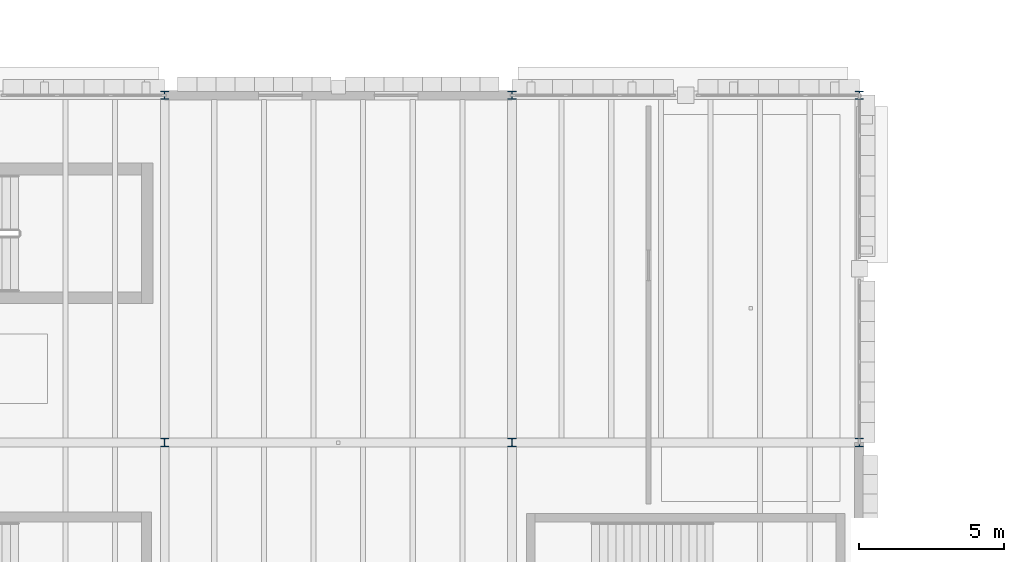
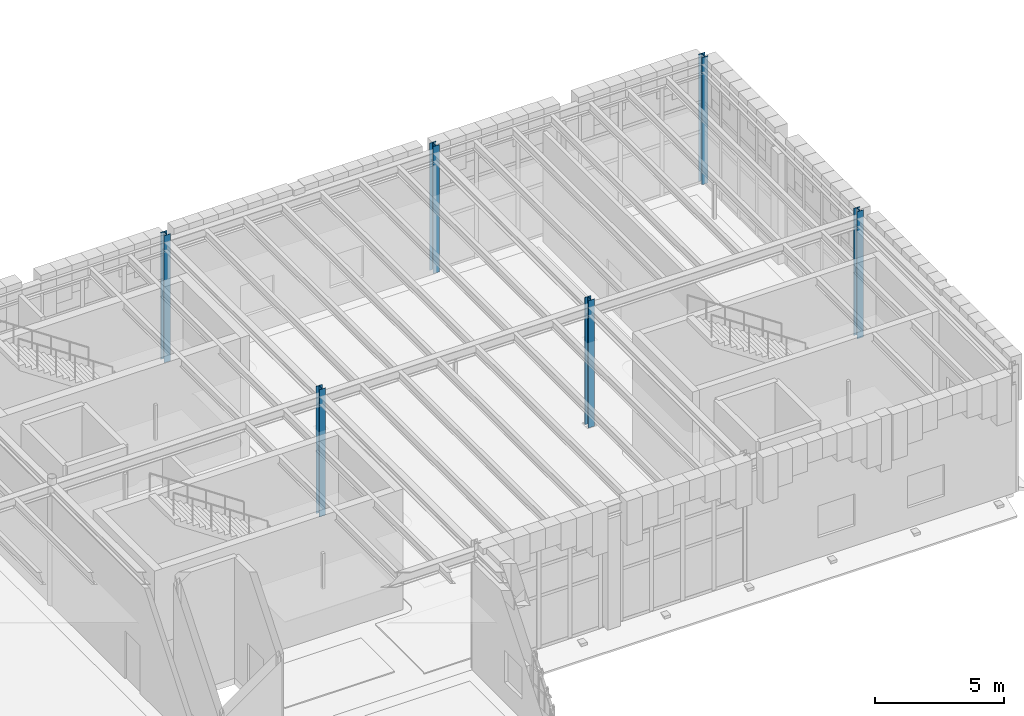
# One storey, part 12 of 83: 6 columns.
"""IFC4 building model written with IfcOpenShell, lengths in metres."""

from ifc_helpers import new_model, si_unit, direction, frame, origin, origin_2d, place, context, subcontext, project, spatial, i_section, extrude, material, material_profile, profile_set, type_object, element, save


model = new_model("IFC4")

# Units and contexts
model_context = context("Model", 3, precision=1e-05, world=origin(), true_north=direction((0.0, 1.0)))
body_context = subcontext(model_context, "Body", "Model", "MODEL_VIEW")
ifc_project = project(units=[si_unit("LENGTHUNIT", "METRE"), si_unit("AREAUNIT", "SQUARE_METRE"), si_unit("VOLUMEUNIT", "CUBIC_METRE"), si_unit("PLANEANGLEUNIT", "RADIAN"), si_unit("MASSUNIT", "GRAM", prefix="KILO")], contexts=[model_context])

# Site, building, storey
site_placement = place(None, origin())
site = spatial("IfcSite", under=ifc_project, at=site_placement, CompositionType="ELEMENT")
building_placement = place(site_placement, origin())
building = spatial("IfcBuilding", under=site, at=building_placement, Name="Zlatogorsky Bluff Art Gallery", CompositionType="ELEMENT")
storey_placement = place(building_placement, frame((0.0, 0.0, 10.800048828125)))
storey = spatial("IfcBuildingStorey", under=building, at=storey_placement, Name="L02", CompositionType="ELEMENT", Elevation=10.800048828125)

# Columns
ifc_material = material(Name="Steel S355", Category="steel")
ifc_material_profile = material_profile(ifc_material, i_section(OverallWidth=0.280029296875, OverallDepth=0.280029296875, WebThickness=0.010498046875, FlangeThickness=0.01806640625, FilletRadius=0.02392578125, at=origin_2d()), Name="HEB 280")
ifc_profile_set = profile_set([ifc_material_profile], Name="Steel S355")
column_type = type_object("IfcColumnType", Name="Column CL-07 HEB 280", PredefinedType="COLUMN", material=ifc_profile_set)
for number, where, z_axis, x_axis, name in (
    (1, (132.0, 96.0, 0.0), (0.0, 0.0, 1.0), (1.0, 0.0, 0.0), "Column CL-07 L02 M10"),
    (2, (132.0, 108.0, 0.0), (0.0, 0.0, 1.0), (1.0, 0.0, 0.0), "Column CL-07 L02 M11"),
    (3, (144.0, 96.0, 0.0), (0.0, 0.0, 1.0), (1.0, 0.0, 0.0), "Column CL-07 L02 N10"),
    (4, (144.0, 108.0, 0.0), (0.0, 0.0, 1.0), (1.0, 0.0, 0.0), "Column CL-07 L02 N11"),
    (5, (156.0, 96.0, 0.0), (0.0, 0.0, 1.0), (1.0, 0.0, 0.0), "Column CL-07 L02 P10"),
    (6, (156.0, 108.0, 0.0), (0.0, 0.0, 1.0), (1.0, 0.0, 0.0), "Column CL-07 L02 P11"),
):
    element("IfcColumn", number, at=place(storey_placement, frame(where, z_axis=z_axis, x_axis=x_axis)), inside=storey, type_object=column_type, Name=name, PredefinedType="COLUMN", context=body_context, shape_type="SweptSolid", body=[
        extrude(i_section(OverallWidth=0.280029296875, OverallDepth=0.280029296875, WebThickness=0.010498046875, FlangeThickness=0.01806640625, FilletRadius=0.02392578125, at=origin_2d()), origin(), (0.0, 0.0, 1.0), 6.0),
    ])

save(model, "model.ifc")
